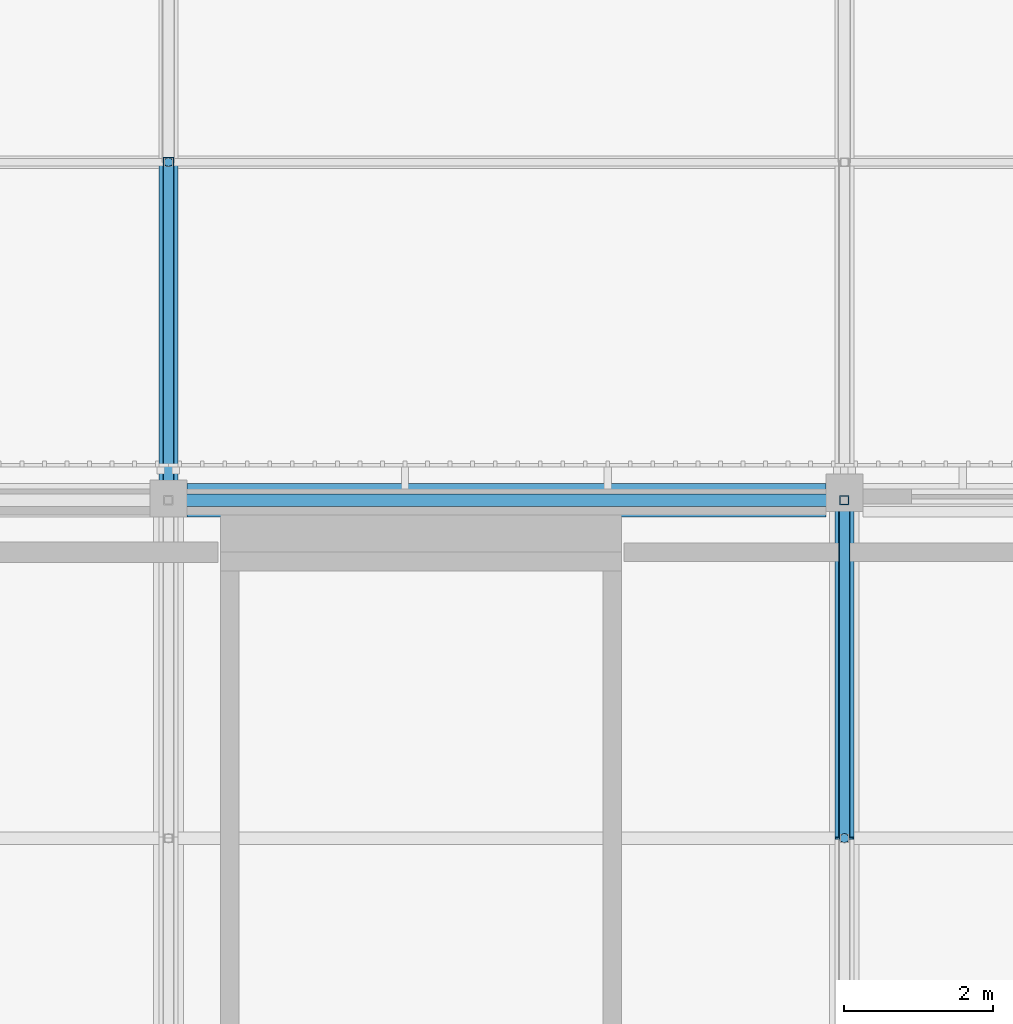
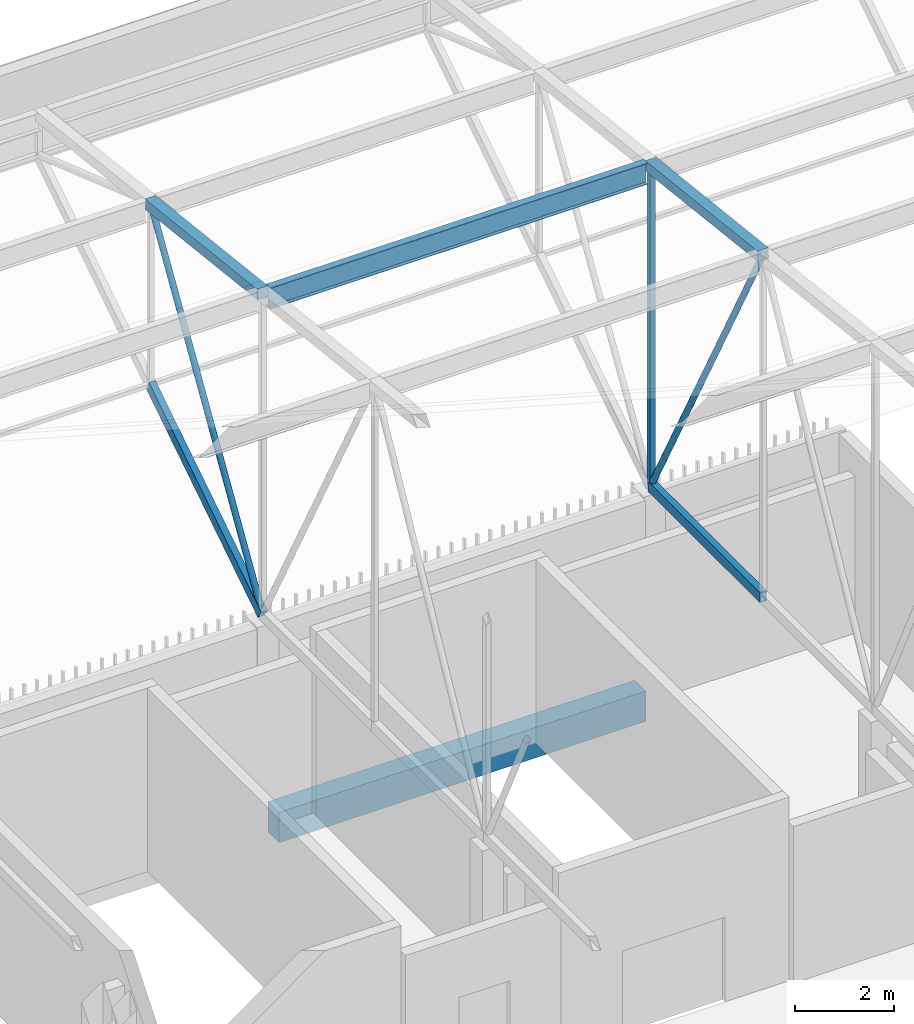
# One storey, part 247 of 500: 8 members, 1 beam.
"""IFC4 building model written with IfcOpenShell, lengths in metres."""

from ifc_helpers import new_model, si_unit, direction, frame, origin, origin_2d, place, context, subcontext, project, spatial, rectangle, hollow_rectangle, hollow_circle, i_section, extrude, material, material_profile, profile_set, type_object, element, save


model = new_model("IFC4")

# Units and contexts
model_context = context("Model", 3, precision=1e-05, world=origin(), true_north=direction((0.0, 1.0)))
body_context = subcontext(model_context, "Body", "Model", "MODEL_VIEW")
ifc_project = project(units=[si_unit("LENGTHUNIT", "METRE"), si_unit("AREAUNIT", "SQUARE_METRE"), si_unit("VOLUMEUNIT", "CUBIC_METRE"), si_unit("PLANEANGLEUNIT", "RADIAN"), si_unit("MASSUNIT", "GRAM", prefix="KILO")], contexts=[model_context])

# Site, building, storey
site_placement = place(None, origin())
site = spatial("IfcSite", under=ifc_project, at=site_placement, CompositionType="ELEMENT")
building_placement = place(site_placement, origin())
building = spatial("IfcBuilding", under=site, at=building_placement, Name="Shirokan Park Arena", CompositionType="ELEMENT")
storey_placement = place(building_placement, frame((0.0, 0.0, 29.1201171875)))
storey = spatial("IfcBuildingStorey", under=building, at=storey_placement, Name="L06", CompositionType="ELEMENT", Elevation=29.1201171875)

# Members
ifc_material_1 = material(Name="Steel ASTM A500 Grade C", Category="steel")
ifc_material_profile_1 = material_profile(ifc_material_1, hollow_rectangle(XDim=0.152099609375, YDim=0.25390625, WallThickness=0.009521484375, at=origin_2d()), Name="HSS254X152.4X9.5")
ifc_profile_set_1 = profile_set([ifc_material_profile_1], Name="Steel ASTM A500 Grade C")
member_type_1 = type_object("IfcMemberType", Name="Bottom chord HSS254X152.4X9.5", PredefinedType="CHORD", material=ifc_profile_set_1)
member_1_placement = place(storey_placement, frame((27.300048828125, 109.199951171875, 4.677001953125), z_axis=(0.0, 0.840971691661, 0.541079119746), x_axis=(-1.0, 0.0, 0.0)))
element("IfcMember", 1, at=member_1_placement, inside=storey, type_object=member_type_1, Name="Truss T04 bottom chord 27", PredefinedType="CHORD", context=body_context, shape_type="SweptSolid", body=[
    extrude(hollow_rectangle(XDim=0.152099609375, YDim=0.25390625, WallThickness=0.009521484375, at=origin_2d()), origin(), (0.0, 0.0, 1.0), 5.410400390625),
])
member_2_placement = place(storey_placement, frame((36.39990234375, 104.64990234375, 4.677001953125), z_axis=(0.0, 1.0, 0.0), x_axis=(-1.0, 0.0, 0.0)))
element("IfcMember", 2, at=member_2_placement, inside=storey, type_object=member_type_1, Name="Truss T05 bottom chord 26", PredefinedType="CHORD", context=body_context, shape_type="SweptSolid", body=[
    extrude(hollow_rectangle(XDim=0.152099609375, YDim=0.25390625, WallThickness=0.009521484375, at=origin_2d()), origin(), (0.0, 0.0, 1.0), 4.550048828125),
])
ifc_material_2 = material(Name="Steel ASTM A992", Category="steel")
ifc_material_profile_2 = material_profile(ifc_material_2, i_section(OverallWidth=0.166015625, OverallDepth=0.528076171875, WebThickness=0.009765625, FlangeThickness=0.013671875, at=origin_2d()), Name="W530X74")
ifc_profile_set_2 = profile_set([ifc_material_profile_2], Name="Steel ASTM A992")
member_type_2 = type_object("IfcMemberType", Name="Purlin W530X74", PredefinedType="PURLIN", material=ifc_profile_set_2)
member_3_placement = place(storey_placement, frame((27.427001953125, 109.199951171875, 12.48583984375), z_axis=(1.0, 0.0, 0.0), x_axis=(0.0, 1.0, 0.0)))
element("IfcMember", 3, at=member_3_placement, inside=storey, type_object=member_type_2, Name="Purlin 27 bay 4", PredefinedType="PURLIN", context=body_context, shape_type="SweptSolid", body=[
    extrude(i_section(OverallWidth=0.166015625, OverallDepth=0.528076171875, WebThickness=0.009765625, FlangeThickness=0.013671875, at=origin_2d()), origin(), (0.0, 0.0, 1.0), 8.845947265625),
])

# Beam
ifc_material_3 = material(Name="Concrete C35", Category="concrete")
ifc_material_profile_3 = material_profile(ifc_material_3, rectangle(XDim=0.449951171875, YDim=0.75, at=origin_2d()), Name="450x750")
ifc_profile_set_3 = profile_set([ifc_material_profile_3], Name="Concrete C35")
beam_type = type_object("IfcBeamType", Name="RC girder 450x750", PredefinedType="BEAM", material=ifc_profile_set_3)
beam_placement = place(storey_placement, frame((27.550048828125, 109.199951171875, -0.5751953125), z_axis=(1.0, 0.0, 0.0), x_axis=(0.0, 1.0, 0.0)))
element("IfcBeam", 4, at=beam_placement, inside=storey, type_object=beam_type, Name="Girder 4N-5N L06", PredefinedType="BEAM", context=body_context, shape_type="SweptSolid", body=[
    extrude(rectangle(XDim=0.449951171875, YDim=0.75, at=origin_2d()), origin(), (0.0, 0.0, 1.0), 8.599853515625),
])

# Members
ifc_material_profile_4 = material_profile(ifc_material_1, hollow_rectangle(XDim=0.25390625, YDim=0.25390625, WallThickness=0.009521484375, at=origin_2d()), Name="HSS254X254X9.5")
ifc_profile_set_4 = profile_set([ifc_material_profile_4], Name="Steel ASTM A500 Grade C")
member_type_3 = type_object("IfcMemberType", Name="Top chord HSS254X254X9.5", PredefinedType="CHORD", material=ifc_profile_set_4)
for number, where, z_axis, x_axis, name in (
    (5, (27.300048828125, 109.199951171875, 12.622802734375), (0.0, 0.993532328996, -0.113549598152), (-1.0, 0.0, 0.0), "Truss T04 top chord 27"),
    (6, (36.39990234375, 104.64990234375, 13.142822265625), (0.0, 0.993532328996, -0.113549598152), (-1.0, 0.0, 0.0), "Truss T05 top chord 26"),
):
    element("IfcMember", number, at=place(storey_placement, frame(where, z_axis=z_axis, x_axis=x_axis)), inside=storey, type_object=member_type_3, Name=name, PredefinedType="CHORD", context=body_context, shape_type="SweptSolid", body=[
        extrude(hollow_rectangle(XDim=0.25390625, YDim=0.25390625, WallThickness=0.009521484375, at=origin_2d()), origin(), (0.0, 0.0, 1.0), 4.57958984375),
    ])
ifc_material_profile_5 = material_profile(ifc_material_1, hollow_circle(Radius=0.070556640625, WallThickness=0.006591796875, at=origin_2d()), Name="HSS141.3X6.6")
ifc_profile_set_5 = profile_set([ifc_material_profile_5], Name="Steel ASTM A500 Grade C")
member_type_4 = type_object("IfcMemberType", Name="Truss diagonal HSS141.3X6.6", PredefinedType="BRACE", material=ifc_profile_set_5)
member_4_placement = place(storey_placement, frame((27.300048828125, 109.199951171875, 4.677001953125), z_axis=(0.0, 0.522458847856, 0.852664501605), x_axis=(-1.0, 0.0, 0.0)))
element("IfcMember", 7, at=member_4_placement, inside=storey, type_object=member_type_4, Name="Truss T04 diagonal 27", PredefinedType="BRACE", context=body_context, shape_type="SweptSolid", body=[
    extrude(hollow_circle(Radius=0.070556640625, WallThickness=0.006591796875, at=origin_2d()), origin(), (0.0, 0.0, 1.0), 8.708984375),
])
member_5_placement = place(storey_placement, frame((36.39990234375, 104.64990234375, 13.142822265625), z_axis=(0.0, 0.473416507165, -0.880838697347), x_axis=(-1.0, 0.0, 0.0)))
element("IfcMember", 8, at=member_5_placement, inside=storey, type_object=member_type_4, Name="Truss T05 diagonal 26", PredefinedType="BRACE", context=body_context, shape_type="SweptSolid", body=[
    extrude(hollow_circle(Radius=0.070556640625, WallThickness=0.006591796875, at=origin_2d()), origin(), (0.0, 0.0, 1.0), 9.611083984375),
])
ifc_material_profile_6 = material_profile(ifc_material_1, hollow_rectangle(XDim=0.126953125, YDim=0.126953125, WallThickness=0.0126953125, at=origin_2d()), Name="HSS127X127X12.7")
ifc_profile_set_6 = profile_set([ifc_material_profile_6], Name="Steel ASTM A500 Grade C")
member_type_5 = type_object("IfcMemberType", Name="Truss post HSS127X127X12.7", PredefinedType="POST", material=ifc_profile_set_6)
member_6_placement = place(storey_placement, frame((36.39990234375, 109.199951171875, 4.677001953125), z_axis=(0.0, 0.0, 1.0), x_axis=(1.0, 0.0, 0.0)))
element("IfcMember", 9, at=member_6_placement, inside=storey, type_object=member_type_5, Name="Truss T05 post 27", PredefinedType="POST", context=body_context, shape_type="SweptSolid", body=[
    extrude(hollow_rectangle(XDim=0.126953125, YDim=0.126953125, WallThickness=0.0126953125, at=origin_2d()), origin(), (0.0, 0.0, 1.0), 7.94580078125),
])

save(model, "model.ifc")
